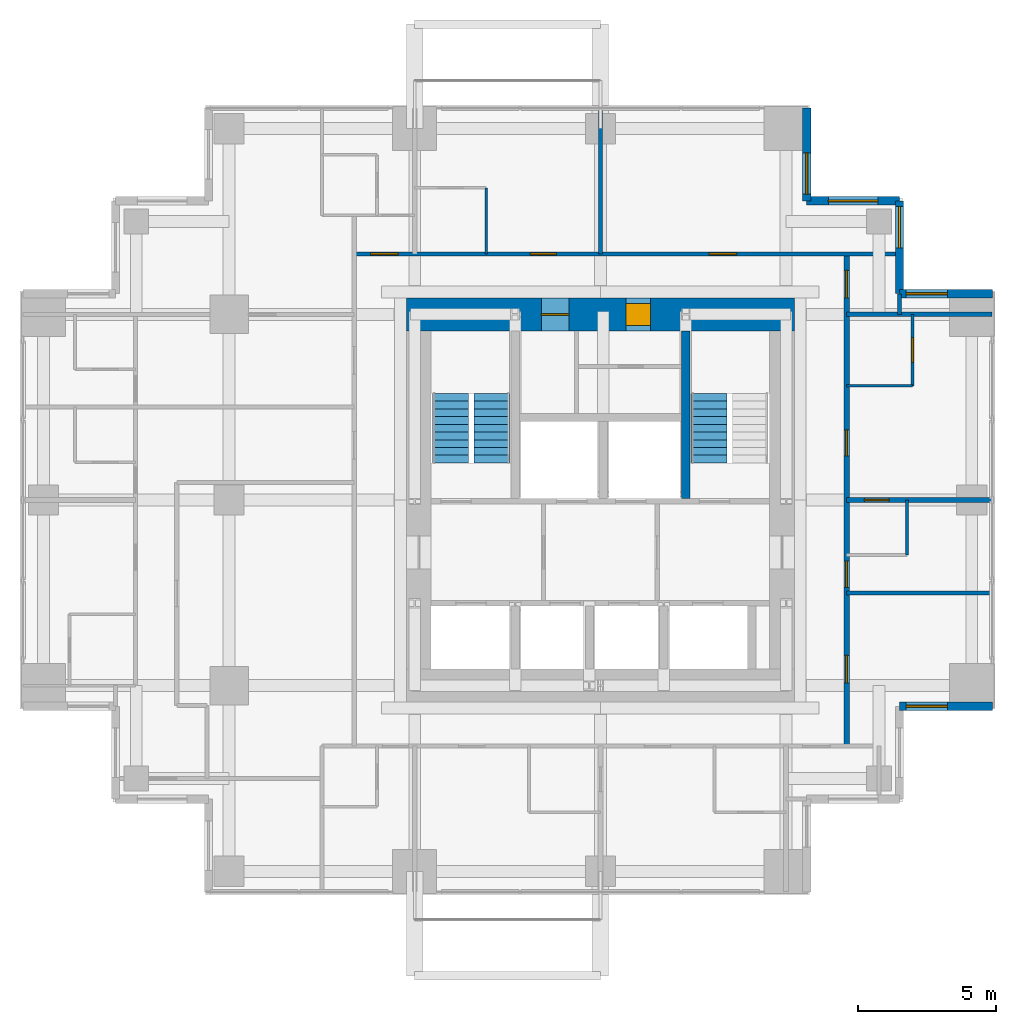
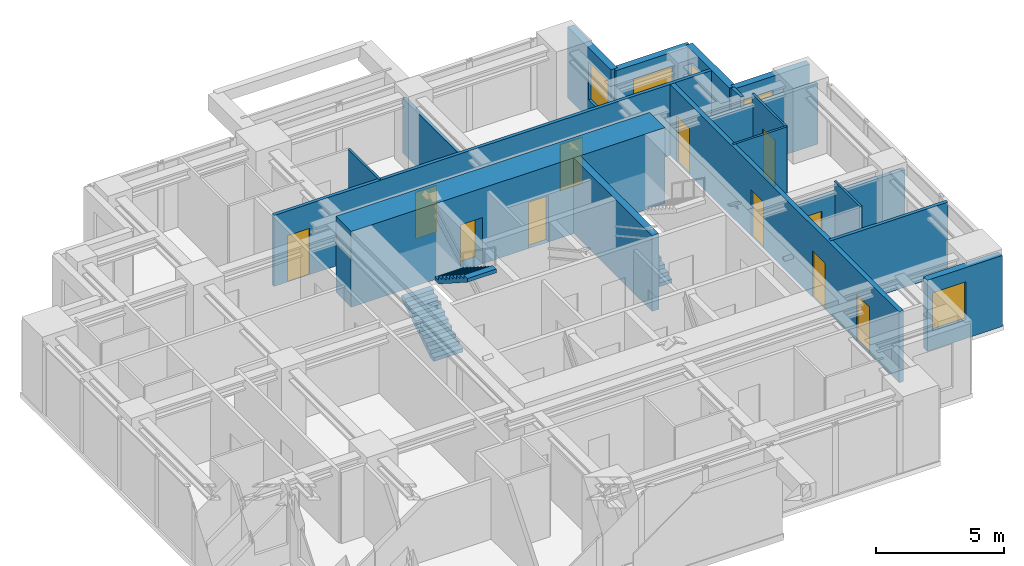
# One storey, part 6 of 8: 18 walls, 11 doors, 5 windows, 3 stair flights, 16 openings, 2 elements without a shape of their own.
"""IFC4 building model written with IfcOpenShell, lengths in metres."""

from ifc_helpers import new_model, si_unit, direction, frame, frame_2d, origin, place, context, subcontext, project, spatial, polyline, rectangle, outline, extrude, material, layer, layer_set, type_object, element, fill, aggregate, save


model = new_model("IFC4")

# Units and contexts
model_context = context("Model", 3, precision=1e-05, world=origin(), true_north=direction((0.0, 1.0)))
body_context = subcontext(model_context, "Body", "Model", "MODEL_VIEW")
ifc_project = project(units=[si_unit("LENGTHUNIT", "METRE"), si_unit("AREAUNIT", "SQUARE_METRE"), si_unit("VOLUMEUNIT", "CUBIC_METRE"), si_unit("PLANEANGLEUNIT", "RADIAN"), si_unit("MASSUNIT", "GRAM", prefix="KILO")], contexts=[model_context])

# Site, building, storey
site_placement = place(None, origin())
site = spatial("IfcSite", under=ifc_project, at=site_placement, CompositionType="ELEMENT")
building_placement = place(site_placement, origin())
building = spatial("IfcBuilding", under=site, at=building_placement, Name="Nyansa Garden Tower", CompositionType="ELEMENT")
storey_placement = place(building_placement, frame((0.0, 0.0, 207.89990234375)))
storey = spatial("IfcBuildingStorey", under=building, at=storey_placement, Name="L56", CompositionType="ELEMENT", Elevation=207.89990234375)

# Wall, opening, door
ifc_material_1 = material(Name="Dense blockwork, plastered both sides, 55 dB", Category="masonry")
ifc_layer_1 = layer(ifc_material_1, 0.175048828125)
ifc_layer_set_1 = layer_set([ifc_layer_1], Name="Acoustic party wall PW175")
wall_type_1 = type_object("IfcWallType", Name="Acoustic party wall PW175", PredefinedType="PARTITIONING", material=ifc_layer_set_1)
wall_1_placement = place(storey_placement, frame((29.199951171875, 20.25, 0.0), z_axis=(0.0, 0.0, 1.0), x_axis=(1.0, 0.0, 0.0)))
wall_1 = element("IfcWall", 1, at=wall_1_placement, inside=storey, type_object=wall_type_1, Name="Party wall", PredefinedType="PARTITIONING", context=body_context, shape_type="SweptSolid", body=[
    extrude(rectangle(XDim=5.283935546875, YDim=0.175048828125, at=frame_2d((2.64208984375, 0.0))), origin(), (0.0, 0.0, 1.0), 2.877197265625),
])
opening_1_placement = place(wall_1_placement, frame((0.64990234375, 0.0, 0.0)))
opening_1 = element("IfcOpeningElement", 2, at=opening_1_placement, cuts=wall_1, Name="Opening D02", PredefinedType="OPENING", context=body_context, shape_type="SweptSolid", body=[
    extrude(rectangle(XDim=0.89990234375, YDim=2.199951171875, at=frame_2d((0.449951171875, 1.10009765625))), frame((0.0, 0.097412109375, 0.0), z_axis=(0.0, -1.0, 0.0), x_axis=(1.0, 0.0, 0.0)), (0.0, 0.0, 1.0), 0.195068359375),
])
ifc_material_2 = material(Name="Timber flush door", Category="wood")
door_type_1 = type_object("IfcDoorType", Name="En-suite door D02 900x2200", OperationType="SINGLE_SWING_RIGHT", PredefinedType="DOOR", material=ifc_material_2)
door_1_placement = place(opening_1_placement, origin())
door_1 = element("IfcDoor", 3, at=door_1_placement, inside=storey, type_object=door_type_1, Name="Door L56-030", OperationType="SINGLE_SWING_RIGHT", OverallHeight=2.199951171875, OverallWidth=0.89990234375, PredefinedType="DOOR", context=body_context, shape_type="SweptSolid", body=[
    extrude(rectangle(XDim=0.89990234375, YDim=2.199951171875, at=frame_2d((0.449951171875, 1.10009765625))), frame((0.0, 0.02490234375, 0.0), z_axis=(0.0, -1.0, 0.0), x_axis=(1.0, 0.0, 0.0)), (0.0, 0.0, 1.0), 0.050048828125),
])
fill(opening_1, door_1)

# Walls
wall_2_placement = place(storey_placement, frame((29.199951171875, 27.0, 0.0), z_axis=(0.0, 0.0, 1.0), x_axis=(1.0, 0.0, 0.0)))
element("IfcWall", 4, at=wall_2_placement, inside=storey, type_object=wall_type_1, Name="Party wall", PredefinedType="PARTITIONING", context=body_context, shape_type="SweptSolid", body=[
    extrude(rectangle(XDim=5.283935546875, YDim=0.175048828125, at=frame_2d((2.64208984375, 0.0))), origin(), (0.0, 0.0, 1.0), 2.877197265625),
])
ifc_material_3 = material(Name="Concrete C70/85", Category="concrete")
ifc_layer_2 = layer(ifc_material_3, 0.300048828125)
ifc_layer_set_2 = layer_set([ifc_layer_2], Name="Core inner wall CI300")
wall_type_2 = type_object("IfcWallType", Name="Core inner wall CI300", PredefinedType="SHEAR", material=ifc_layer_set_2)
wall_3_placement = place(storey_placement, frame((23.35009765625, 20.300048828125, 0.0), z_axis=(0.0, 0.0, 1.0), x_axis=(0.0, 1.0, 0.0)))
element("IfcWall", 5, at=wall_3_placement, inside=storey, type_object=wall_type_2, Name="Core inner wall L56", PredefinedType="SHEAR", context=body_context, shape_type="SweptSolid", body=[
    extrude(rectangle(XDim=6.099853515625, YDim=0.300048828125, at=frame_2d((3.0498046875, 0.0))), origin(), (0.0, 0.0, 1.0), 3.60009765625),
])

# Wall, openings, doors
ifc_material_4 = material(Name="Concrete C80/95", Category="concrete")
ifc_layer_3 = layer(ifc_material_4, 1.199951171875)
ifc_layer_set_3 = layer_set([ifc_layer_3], Name="Core wall CW1200")
wall_type_3 = type_object("IfcWallType", Name="Core wall CW1200", PredefinedType="SHEAR", material=ifc_layer_set_3)
wall_4_placement = place(storey_placement, frame((27.300048828125, 27.0, 0.0), z_axis=(0.0, 0.0, 1.0), x_axis=(-1.0, 0.0, 0.0)))
wall_4 = element("IfcWall", 6, at=wall_4_placement, inside=storey, type_object=wall_type_3, Name="Core wall N L56", PredefinedType="SHEAR", context=body_context, shape_type="SweptSolid", body=[
    extrude(rectangle(XDim=14.10009765625, YDim=1.199951171875, at=frame_2d((7.050048828125, 0.0))), origin(), (0.0, 0.0, 1.0), 3.60009765625),
])
opening_2_placement = place(wall_4_placement, frame((5.22509765625, 0.0, 0.0)))
opening_2 = element("IfcOpeningElement", 7, at=opening_2_placement, cuts=wall_4, Name="Opening D15", PredefinedType="OPENING", context=body_context, shape_type="SweptSolid", body=[
    extrude(rectangle(XDim=0.89990234375, YDim=2.199951171875, at=frame_2d((0.449951171875, 1.10009765625))), frame((0.0, 0.60986328125, 0.0), z_axis=(0.0, -1.0, 0.0), x_axis=(1.0, 0.0, 0.0)), (0.0, 0.0, 1.0), 1.219970703125),
])
opening_3_placement = place(wall_4_placement, frame((8.199951171875, 0.0, 0.0)))
opening_3 = element("IfcOpeningElement", 8, at=opening_3_placement, cuts=wall_4, Name="Opening D07", PredefinedType="OPENING", context=body_context, shape_type="SweptSolid", body=[
    extrude(rectangle(XDim=1.0, YDim=2.199951171875, at=frame_2d((0.5, 1.10009765625))), frame((0.0, 0.60986328125, 0.0), z_axis=(0.0, -1.0, 0.0), x_axis=(1.0, 0.0, 0.0)), (0.0, 0.0, 1.0), 1.219970703125),
])
ifc_material_5 = material(Name="Timber flush door, 60 minute fire resisting, self-closing", Category="wood")
door_type_2 = type_object("IfcDoorType", Name="Core room door D15 900x2200", OperationType="SINGLE_SWING_LEFT", PredefinedType="DOOR", material=ifc_material_5)
door_2_placement = place(opening_2_placement, origin())
door_2 = element("IfcDoor", 9, at=door_2_placement, inside=storey, type_object=door_type_2, Name="Core room door", OperationType="SINGLE_SWING_LEFT", OverallHeight=2.199951171875, OverallWidth=0.89990234375, PredefinedType="DOOR", context=body_context, shape_type="SweptSolid", body=[
    extrude(rectangle(XDim=0.89990234375, YDim=2.199951171875, at=frame_2d((0.449951171875, 1.10009765625))), frame((0.0, 0.39990234375, 0.0), z_axis=(0.0, -1.0, 0.0), x_axis=(1.0, 0.0, 0.0)), (0.0, 0.0, 1.0), 0.800048828125),
])
fill(opening_2, door_2)
ifc_material_6 = material(Name="Steel door, 120 minute fire resisting", Category="steel")
door_type_3 = type_object("IfcDoorType", Name="Riser door D07 1000x2200", OperationType="SINGLE_SWING_LEFT", PredefinedType="DOOR", material=ifc_material_6)
door_3_placement = place(opening_3_placement, origin())
door_3 = element("IfcDoor", 10, at=door_3_placement, inside=storey, type_object=door_type_3, Name="Riser and refuse room door", OperationType="SINGLE_SWING_LEFT", OverallHeight=2.199951171875, OverallWidth=1.0, PredefinedType="DOOR", context=body_context, shape_type="SweptSolid", body=[
    extrude(rectangle(XDim=1.0, YDim=2.199951171875, at=frame_2d((0.5, 1.10009765625))), frame((0.0, 0.02490234375, 0.0), z_axis=(0.0, -1.0, 0.0), x_axis=(1.0, 0.0, 0.0)), (0.0, 0.0, 1.0), 0.050048828125),
])
fill(opening_3, door_3)

ifc_material_7 = material(Name="Concrete blockwork, plastered, 60 minute fire resisting", Category="masonry")
ifc_layer_4 = layer(ifc_material_7, 0.199951171875)
ifc_layer_set_4 = layer_set([ifc_layer_4], Name="Corridor wall FW200")
wall_type_4 = type_object("IfcWallType", Name="Corridor wall FW200", PredefinedType="PARTITIONING", material=ifc_layer_set_4)
wall_5_placement = place(storey_placement, frame((29.199951171875, 11.300048828125, 0.0), z_axis=(0.0, 0.0, 1.0), x_axis=(0.0, 1.0, 0.0)))
wall_5 = element("IfcWall", 11, at=wall_5_placement, inside=storey, type_object=wall_type_4, Name="Corridor wall", PredefinedType="PARTITIONING", context=body_context, shape_type="SweptSolid", body=[
    extrude(rectangle(XDim=17.89990234375, YDim=0.199951171875, at=frame_2d((8.949951171875, 0.0))), origin(), (0.0, 0.0, 1.0), 3.375),
])
opening_4_placement = place(wall_5_placement, frame((2.300048828125, 0.0, 0.0)))
opening_4 = element("IfcOpeningElement", 12, at=opening_4_placement, cuts=wall_5, Name="Opening D03", PredefinedType="OPENING", context=body_context, shape_type="SweptSolid", body=[
    extrude(rectangle(XDim=1.0, YDim=2.199951171875, at=frame_2d((0.5, 1.10009765625))), frame((0.0, 0.10986328125, 0.0), z_axis=(0.0, -1.0, 0.0), x_axis=(1.0, 0.0, 0.0)), (0.0, 0.0, 1.0), 0.219970703125),
])
opening_5_placement = place(wall_5_placement, frame((10.550048828125, 0.0, 0.0)))
opening_5 = element("IfcOpeningElement", 13, at=opening_5_placement, cuts=wall_5, Name="Opening D14", PredefinedType="OPENING", context=body_context, shape_type="SweptSolid", body=[
    extrude(rectangle(XDim=0.949951171875, YDim=2.199951171875, at=frame_2d((0.47509765625, 1.10009765625))), frame((0.0, 0.10986328125, 0.0), z_axis=(0.0, -1.0, 0.0), x_axis=(1.0, 0.0, 0.0)), (0.0, 0.0, 1.0), 0.219970703125),
])
opening_6_placement = place(wall_5_placement, frame((5.77490234375, 0.0, 0.0)))
opening_6 = element("IfcOpeningElement", 14, at=opening_6_placement, cuts=wall_5, Name="Opening D14", PredefinedType="OPENING", context=body_context, shape_type="SweptSolid", body=[
    extrude(rectangle(XDim=0.949951171875, YDim=2.199951171875, at=frame_2d((0.47509765625, 1.10009765625))), frame((0.0, 0.10986328125, 0.0), z_axis=(0.0, -1.0, 0.0), x_axis=(1.0, 0.0, 0.0)), (0.0, 0.0, 1.0), 0.219970703125),
])
opening_7_placement = place(wall_5_placement, frame((16.300048828125, 0.0, 0.0)))
opening_7 = element("IfcOpeningElement", 15, at=opening_7_placement, cuts=wall_5, Name="Opening D03", PredefinedType="OPENING", context=body_context, shape_type="SweptSolid", body=[
    extrude(rectangle(XDim=1.0, YDim=2.199951171875, at=frame_2d((0.5, 1.10009765625))), frame((0.0, 0.10986328125, 0.0), z_axis=(0.0, -1.0, 0.0), x_axis=(1.0, 0.0, 0.0)), (0.0, 0.0, 1.0), 0.219970703125),
])
ifc_material_8 = material(Name="Timber flush door, 60 minute fire resisting", Category="wood")
door_type_4 = type_object("IfcDoorType", Name="Cluster entrance door D03 1000x2200", OperationType="SINGLE_SWING_LEFT", PredefinedType="DOOR", material=ifc_material_8)
door_4_placement = place(opening_4_placement, origin())
door_4 = element("IfcDoor", 16, at=door_4_placement, inside=storey, type_object=door_type_4, Name="Door L56-026", OperationType="SINGLE_SWING_LEFT", OverallHeight=2.199951171875, OverallWidth=1.0, PredefinedType="DOOR", context=body_context, shape_type="SweptSolid", body=[
    extrude(rectangle(XDim=1.0, YDim=2.199951171875, at=frame_2d((0.5, 1.10009765625))), frame((0.0, 0.02490234375, 0.0), z_axis=(0.0, -1.0, 0.0), x_axis=(1.0, 0.0, 0.0)), (0.0, 0.0, 1.0), 0.050048828125),
])
fill(opening_4, door_4)
door_5_placement = place(opening_7_placement, origin())
door_5 = element("IfcDoor", 17, at=door_5_placement, inside=storey, type_object=door_type_4, Name="Door L56-031", OperationType="SINGLE_SWING_LEFT", OverallHeight=2.199951171875, OverallWidth=1.0, PredefinedType="DOOR", context=body_context, shape_type="SweptSolid", body=[
    extrude(rectangle(XDim=1.0, YDim=2.199951171875, at=frame_2d((0.5, 1.10009765625))), frame((0.0, 0.02490234375, 0.0), z_axis=(0.0, -1.0, 0.0), x_axis=(1.0, 0.0, 0.0)), (0.0, 0.0, 1.0), 0.050048828125),
])
fill(opening_7, door_5)
ifc_material_9 = material(Name="Timber flush door, 60 minute fire resisting, self-closing", Category="wood")
door_type_5 = type_object("IfcDoorType", Name="Studio entrance door D14 950x2200", OperationType="SINGLE_SWING_LEFT", PredefinedType="DOOR", material=ifc_material_9)
door_6_placement = place(opening_5_placement, origin())
door_6 = element("IfcDoor", 18, at=door_6_placement, inside=storey, type_object=door_type_5, Name="Door L56-027", OperationType="SINGLE_SWING_LEFT", OverallHeight=2.199951171875, OverallWidth=0.949951171875, PredefinedType="DOOR", context=body_context, shape_type="SweptSolid", body=[
    extrude(rectangle(XDim=0.949951171875, YDim=2.199951171875, at=frame_2d((0.47509765625, 1.10009765625))), frame((0.0, 0.02490234375, 0.0), z_axis=(0.0, -1.0, 0.0), x_axis=(1.0, 0.0, 0.0)), (0.0, 0.0, 1.0), 0.050048828125),
])
fill(opening_5, door_6)
door_7_placement = place(opening_6_placement, origin())
door_7 = element("IfcDoor", 19, at=door_7_placement, inside=storey, type_object=door_type_5, Name="Door L56-029", OperationType="SINGLE_SWING_LEFT", OverallHeight=2.199951171875, OverallWidth=0.949951171875, PredefinedType="DOOR", context=body_context, shape_type="SweptSolid", body=[
    extrude(rectangle(XDim=0.949951171875, YDim=2.199951171875, at=frame_2d((0.47509765625, 1.10009765625))), frame((0.0, 0.02490234375, 0.0), z_axis=(0.0, -1.0, 0.0), x_axis=(1.0, 0.0, 0.0)), (0.0, 0.0, 1.0), 0.050048828125),
])
fill(opening_6, door_7)

ifc_material_10 = material(Name="Blockwork, plastered both sides", Category="masonry")
ifc_layer_5 = layer(ifc_material_10, 0.14990234375)
ifc_layer_set_5 = layer_set([ifc_layer_5], Name="Partition PW150")
wall_type_5 = type_object("IfcWallType", Name="Partition PW150", PredefinedType="PARTITIONING", material=ifc_layer_set_5)
wall_6_placement = place(storey_placement, frame((11.300048828125, 29.199951171875, 0.0), z_axis=(0.0, 0.0, 1.0), x_axis=(1.0, 0.0, 0.0)))
wall_6 = element("IfcWall", 20, at=wall_6_placement, inside=storey, type_object=wall_type_5, Name="Partition", PredefinedType="PARTITIONING", context=body_context, shape_type="SweptSolid", body=[
    extrude(rectangle(XDim=19.808837890625, YDim=0.14990234375, at=frame_2d((9.904296875, 0.0))), origin(), (0.0, 0.0, 1.0), 3.375),
])
opening_8_placement = place(wall_6_placement, frame((12.89990234375, 0.0, 0.0)))
opening_8 = element("IfcOpeningElement", 21, at=opening_8_placement, cuts=wall_6, Name="Opening D03", PredefinedType="OPENING", context=body_context, shape_type="SweptSolid", body=[
    extrude(rectangle(XDim=1.0, YDim=2.199951171875, at=frame_2d((0.5, 1.10009765625))), frame((0.0, 0.0849609375, 0.0), z_axis=(0.0, -1.0, 0.0), x_axis=(1.0, 0.0, 0.0)), (0.0, 0.0, 1.0), 0.169921875),
])
opening_9_placement = place(wall_6_placement, frame((6.39990234375, 0.0, 0.0)))
opening_9 = element("IfcOpeningElement", 22, at=opening_9_placement, cuts=wall_6, Name="Opening D14", PredefinedType="OPENING", context=body_context, shape_type="SweptSolid", body=[
    extrude(rectangle(XDim=0.949951171875, YDim=2.199951171875, at=frame_2d((0.47509765625, 1.10009765625))), frame((0.0, 0.0849609375, 0.0), z_axis=(0.0, -1.0, 0.0), x_axis=(1.0, 0.0, 0.0)), (0.0, 0.0, 1.0), 0.169921875),
])
opening_10_placement = place(wall_6_placement, frame((0.60009765625, 0.0, 0.0)))
opening_10 = element("IfcOpeningElement", 23, at=opening_10_placement, cuts=wall_6, Name="Opening D03", PredefinedType="OPENING", context=body_context, shape_type="SweptSolid", body=[
    extrude(rectangle(XDim=1.0, YDim=2.199951171875, at=frame_2d((0.5, 1.10009765625))), frame((0.0, 0.0849609375, 0.0), z_axis=(0.0, -1.0, 0.0), x_axis=(1.0, 0.0, 0.0)), (0.0, 0.0, 1.0), 0.169921875),
])
door_8_placement = place(opening_8_placement, origin())
door_8 = element("IfcDoor", 24, at=door_8_placement, inside=storey, type_object=door_type_4, Name="Door L56-032", OperationType="SINGLE_SWING_LEFT", OverallHeight=2.199951171875, OverallWidth=1.0, PredefinedType="DOOR", context=body_context, shape_type="SweptSolid", body=[
    extrude(rectangle(XDim=1.0, YDim=2.199951171875, at=frame_2d((0.5, 1.10009765625))), frame((0.0, 0.02490234375, 0.0), z_axis=(0.0, -1.0, 0.0), x_axis=(1.0, 0.0, 0.0)), (0.0, 0.0, 1.0), 0.050048828125),
])
fill(opening_8, door_8)
door_9_placement = place(opening_10_placement, origin())
door_9 = element("IfcDoor", 25, at=door_9_placement, inside=storey, type_object=door_type_4, Name="Door L56-037", OperationType="SINGLE_SWING_LEFT", OverallHeight=2.199951171875, OverallWidth=1.0, PredefinedType="DOOR", context=body_context, shape_type="SweptSolid", body=[
    extrude(rectangle(XDim=1.0, YDim=2.199951171875, at=frame_2d((0.5, 1.10009765625))), frame((0.0, 0.02490234375, 0.0), z_axis=(0.0, -1.0, 0.0), x_axis=(1.0, 0.0, 0.0)), (0.0, 0.0, 1.0), 0.050048828125),
])
fill(opening_10, door_9)
door_10_placement = place(opening_9_placement, origin())
door_10 = element("IfcDoor", 26, at=door_10_placement, inside=storey, type_object=door_type_5, Name="Door L56-033", OperationType="SINGLE_SWING_LEFT", OverallHeight=2.199951171875, OverallWidth=0.949951171875, PredefinedType="DOOR", context=body_context, shape_type="SweptSolid", body=[
    extrude(rectangle(XDim=0.949951171875, YDim=2.199951171875, at=frame_2d((0.47509765625, 1.10009765625))), frame((0.0, 0.02490234375, 0.0), z_axis=(0.0, -1.0, 0.0), x_axis=(1.0, 0.0, 0.0)), (0.0, 0.0, 1.0), 0.050048828125),
])
fill(opening_9, door_10)

# Walls
wall_7_placement = place(storey_placement, frame((20.25, 29.199951171875, 0.0), z_axis=(0.0, 0.0, 1.0), x_axis=(0.0, 1.0, 0.0)))
element("IfcWall", 27, at=wall_7_placement, inside=storey, type_object=wall_type_5, Name="Partition", PredefinedType="PARTITIONING", context=body_context, shape_type="SweptSolid", body=[
    extrude(rectangle(XDim=5.283935546875, YDim=0.14990234375, at=frame_2d((2.64208984375, 0.0))), origin(), (0.0, 0.0, 1.0), 2.610107421875),
])
wall_8_placement = place(storey_placement, frame((29.199951171875, 16.875, 0.0), z_axis=(0.0, 0.0, 1.0), x_axis=(1.0, 0.0, 0.0)))
element("IfcWall", 28, at=wall_8_placement, inside=storey, type_object=wall_type_5, Name="Partition", PredefinedType="PARTITIONING", context=body_context, shape_type="SweptSolid", body=[
    extrude(rectangle(XDim=5.283935546875, YDim=0.14990234375, at=frame_2d((2.64208984375, 0.0))), origin(), (0.0, 0.0, 1.0), 3.375),
])
wall_9_placement = place(storey_placement, frame((31.125, 27.0, 0.0), z_axis=(0.0, 0.0, 1.0), x_axis=(0.0, 1.0, 0.0)))
element("IfcWall", 29, at=wall_9_placement, inside=storey, type_object=wall_type_5, Name="Partition", PredefinedType="PARTITIONING", context=body_context, shape_type="SweptSolid", body=[
    extrude(rectangle(XDim=0.73388671875, YDim=0.14990234375, at=frame_2d((0.366943359375, 0.0))), origin(), (0.0, 0.0, 1.0), 3.375),
])

# Wall, opening, window
ifc_material_11 = material(Name="Turquoise glazed tile on concrete blockwork", Category="masonry")
ifc_layer_6 = layer(ifc_material_11, 0.300048828125)
ifc_layer_set_6 = layer_set([ifc_layer_6], Name="Tiled corner wall TW300")
wall_type_6 = type_object("IfcWallType", Name="Tiled corner wall TW300", PredefinedType="SOLIDWALL", material=ifc_layer_set_6)
wall_10_placement = place(storey_placement, frame((34.5, 27.75, 0.0), z_axis=(0.0, 0.0, 1.0), x_axis=(-1.0, 0.0, 0.0)))
wall_10 = element("IfcWall", 30, at=wall_10_placement, inside=storey, type_object=wall_type_6, Name="Tiled corner wall L56", PredefinedType="SOLIDWALL", context=body_context, shape_type="SweptSolid", body=[
    extrude(rectangle(XDim=3.375, YDim=0.300048828125, at=frame_2d((1.6875, 0.0))), origin(), (0.0, 0.0, 1.0), 3.375),
])
opening_11_placement = place(wall_10_placement, frame((1.632568359375, 0.0, 0.89990234375)))
opening_11 = element("IfcOpeningElement", 31, at=opening_11_placement, cuts=wall_10, Name="Opening W1", PredefinedType="OPENING", context=body_context, shape_type="SweptSolid", body=[
    extrude(rectangle(XDim=1.5, YDim=1.800048828125, at=frame_2d((0.75, 0.89990234375))), frame((0.0, 0.159912109375, 0.0), z_axis=(0.0, -1.0, 0.0), x_axis=(1.0, 0.0, 0.0)), (0.0, 0.0, 1.0), 0.320068359375),
])
ifc_material_12 = material(Name="Black aluminium frame, dark tinted double glazing", Category="aluminium")
window_type_1 = type_object("IfcWindowType", Name="Window W1 1500x1800", PartitioningType="SINGLE_PANEL", PredefinedType="WINDOW", material=ifc_material_12)
window_1_placement = place(opening_11_placement, origin())
window_1 = element("IfcWindow", 32, at=window_1_placement, inside=storey, type_object=window_type_1, Name="Corner window L56", OverallHeight=1.800048828125, OverallWidth=1.5, PartitioningType="SINGLE_PANEL", PredefinedType="WINDOW", context=body_context, shape_type="SweptSolid", body=[
    extrude(rectangle(XDim=1.5, YDim=1.800048828125, at=frame_2d((0.75, 0.89990234375))), frame((0.0, 0.030029296875, 0.0), z_axis=(0.0, -1.0, 0.0), x_axis=(1.0, 0.0, 0.0)), (0.0, 0.0, 1.0), 0.06005859375),
])
fill(opening_11, window_1)

wall_11_placement = place(storey_placement, frame((31.125, 27.75, 0.0), z_axis=(0.0, 0.0, 1.0), x_axis=(0.0, 1.0, 0.0)))
wall_11 = element("IfcWall", 33, at=wall_11_placement, inside=storey, type_object=wall_type_6, Name="Tiled corner wall L56", PredefinedType="SOLIDWALL", context=body_context, shape_type="SweptSolid", body=[
    extrude(rectangle(XDim=3.375, YDim=0.300048828125, at=frame_2d((1.6875, 0.0))), origin(), (0.0, 0.0, 1.0), 3.375),
])
opening_12_placement = place(wall_11_placement, frame((1.66259765625, 0.0, 0.89990234375)))
opening_12 = element("IfcOpeningElement", 34, at=opening_12_placement, cuts=wall_11, Name="Opening W1", PredefinedType="OPENING", context=body_context, shape_type="SweptSolid", body=[
    extrude(rectangle(XDim=1.5, YDim=1.800048828125, at=frame_2d((0.75, 0.89990234375))), frame((0.0, 0.159912109375, 0.0), z_axis=(0.0, -1.0, 0.0), x_axis=(1.0, 0.0, 0.0)), (0.0, 0.0, 1.0), 0.320068359375),
])
window_2_placement = place(opening_12_placement, origin())
window_2 = element("IfcWindow", 35, at=window_2_placement, inside=storey, type_object=window_type_1, Name="Corner window L56", OverallHeight=1.800048828125, OverallWidth=1.5, PartitioningType="SINGLE_PANEL", PredefinedType="WINDOW", context=body_context, shape_type="SweptSolid", body=[
    extrude(rectangle(XDim=1.5, YDim=1.800048828125, at=frame_2d((0.75, 0.89990234375))), frame((0.0, 0.030029296875, 0.0), z_axis=(0.0, -1.0, 0.0), x_axis=(1.0, 0.0, 0.0)), (0.0, 0.0, 1.0), 0.06005859375),
])
fill(opening_12, window_2)

wall_12_placement = place(storey_placement, frame((31.125, 31.125, 0.0), z_axis=(0.0, 0.0, 1.0), x_axis=(-1.0, 0.0, 0.0)))
wall_12 = element("IfcWall", 36, at=wall_12_placement, inside=storey, type_object=wall_type_6, Name="Tiled corner wall L56", PredefinedType="SOLIDWALL", context=body_context, shape_type="SweptSolid", body=[
    extrude(rectangle(XDim=3.375, YDim=0.300048828125, at=frame_2d((1.6875, 0.0))), origin(), (0.0, 0.0, 1.0), 3.375),
])
opening_13_placement = place(wall_12_placement, frame((0.78759765625, 0.0, 0.60009765625)))
opening_13 = element("IfcOpeningElement", 37, at=opening_13_placement, cuts=wall_12, Name="Opening W2", PredefinedType="OPENING", context=body_context, shape_type="SweptSolid", body=[
    extrude(rectangle(XDim=1.800048828125, YDim=2.10009765625, at=frame_2d((0.89990234375, 1.050048828125))), frame((0.0, 0.159912109375, 0.0), z_axis=(0.0, -1.0, 0.0), x_axis=(1.0, 0.0, 0.0)), (0.0, 0.0, 1.0), 0.320068359375),
])
ifc_material_13 = material(Name="Black aluminium frame, dark tinted double glazing", Category="aluminium")
window_type_2 = type_object("IfcWindowType", Name="Window W2 1800x2100", PartitioningType="SINGLE_PANEL", PredefinedType="WINDOW", material=ifc_material_13)
window_3_placement = place(opening_13_placement, origin())
window_3 = element("IfcWindow", 38, at=window_3_placement, inside=storey, type_object=window_type_2, Name="Corner window L56", OverallHeight=2.10009765625, OverallWidth=1.800048828125, PartitioningType="SINGLE_PANEL", PredefinedType="WINDOW", context=body_context, shape_type="SweptSolid", body=[
    extrude(rectangle(XDim=1.800048828125, YDim=2.10009765625, at=frame_2d((0.89990234375, 1.050048828125))), frame((0.0, 0.030029296875, 0.0), z_axis=(0.0, -1.0, 0.0), x_axis=(1.0, 0.0, 0.0)), (0.0, 0.0, 1.0), 0.06005859375),
])
fill(opening_13, window_3)

wall_13_placement = place(storey_placement, frame((27.75, 31.125, 0.0), z_axis=(0.0, 0.0, 1.0), x_axis=(0.0, 1.0, 0.0)))
wall_13 = element("IfcWall", 39, at=wall_13_placement, inside=storey, type_object=wall_type_6, Name="Tiled corner wall L56", PredefinedType="SOLIDWALL", context=body_context, shape_type="SweptSolid", body=[
    extrude(rectangle(XDim=3.375, YDim=0.300048828125, at=frame_2d((1.6875, 0.0))), origin(), (0.0, 0.0, 1.0), 3.375),
])
opening_14_placement = place(wall_13_placement, frame((0.242431640625, 0.0, 0.89990234375)))
opening_14 = element("IfcOpeningElement", 40, at=opening_14_placement, cuts=wall_13, Name="Opening W1", PredefinedType="OPENING", context=body_context, shape_type="SweptSolid", body=[
    extrude(rectangle(XDim=1.5, YDim=1.800048828125, at=frame_2d((0.75, 0.89990234375))), frame((0.0, 0.159912109375, 0.0), z_axis=(0.0, -1.0, 0.0), x_axis=(1.0, 0.0, 0.0)), (0.0, 0.0, 1.0), 0.320068359375),
])
window_4_placement = place(opening_14_placement, origin())
window_4 = element("IfcWindow", 41, at=window_4_placement, inside=storey, type_object=window_type_1, Name="Corner window L56", OverallHeight=1.800048828125, OverallWidth=1.5, PartitioningType="SINGLE_PANEL", PredefinedType="WINDOW", context=body_context, shape_type="SweptSolid", body=[
    extrude(rectangle(XDim=1.5, YDim=1.800048828125, at=frame_2d((0.75, 0.89990234375))), frame((0.0, 0.030029296875, 0.0), z_axis=(0.0, -1.0, 0.0), x_axis=(1.0, 0.0, 0.0)), (0.0, 0.0, 1.0), 0.06005859375),
])
fill(opening_14, window_4)

wall_14_placement = place(storey_placement, frame((31.125, 12.75, 0.0), z_axis=(0.0, 0.0, 1.0), x_axis=(1.0, 0.0, 0.0)))
wall_14 = element("IfcWall", 42, at=wall_14_placement, inside=storey, type_object=wall_type_6, Name="Tiled corner wall L56", PredefinedType="SOLIDWALL", context=body_context, shape_type="SweptSolid", body=[
    extrude(rectangle(XDim=3.375, YDim=0.300048828125, at=frame_2d((1.6875, 0.0))), origin(), (0.0, 0.0, 1.0), 3.375),
])
opening_15_placement = place(wall_14_placement, frame((0.242431640625, 0.0, 0.89990234375)))
opening_15 = element("IfcOpeningElement", 43, at=opening_15_placement, cuts=wall_14, Name="Opening W1", PredefinedType="OPENING", context=body_context, shape_type="SweptSolid", body=[
    extrude(rectangle(XDim=1.5, YDim=1.800048828125, at=frame_2d((0.75, 0.89990234375))), frame((0.0, 0.159912109375, 0.0), z_axis=(0.0, -1.0, 0.0), x_axis=(1.0, 0.0, 0.0)), (0.0, 0.0, 1.0), 0.320068359375),
])
window_5_placement = place(opening_15_placement, origin())
window_5 = element("IfcWindow", 44, at=window_5_placement, inside=storey, type_object=window_type_1, Name="Corner window L56", OverallHeight=1.800048828125, OverallWidth=1.5, PartitioningType="SINGLE_PANEL", PredefinedType="WINDOW", context=body_context, shape_type="SweptSolid", body=[
    extrude(rectangle(XDim=1.5, YDim=1.800048828125, at=frame_2d((0.75, 0.89990234375))), frame((0.0, 0.030029296875, 0.0), z_axis=(0.0, -1.0, 0.0), x_axis=(1.0, 0.0, 0.0)), (0.0, 0.0, 1.0), 0.06005859375),
])
fill(opening_15, window_5)

# Walls
ifc_material_14 = material(Name="Moisture resistant board on steel studs, tiled", Category="steel")
ifc_layer_7 = layer(ifc_material_14, 0.10009765625)
ifc_layer_set_7 = layer_set([ifc_layer_7], Name="Wet wall PW100")
wall_type_7 = type_object("IfcWallType", Name="Wet wall PW100", PredefinedType="PARTITIONING", material=ifc_layer_set_7)
for number, where, z_axis, x_axis, name in (
    (45, (16.10009765625, 29.199951171875, 0.0), (0.0, 0.0, 1.0), (0.0, 1.0, 0.0), "Wet wall"),
    (46, (29.199951171875, 24.39990234375, 0.0), (0.0, 0.0, 1.0), (1.0, 0.0, 0.0), "Wet wall"),
):
    element("IfcWall", number, at=place(storey_placement, frame(where, z_axis=z_axis, x_axis=x_axis)), inside=storey, type_object=wall_type_7, Name=name, PredefinedType="PARTITIONING", context=body_context, shape_type="SweptSolid", body=[
        extrude(rectangle(XDim=2.400146484375, YDim=0.10009765625, at=frame_2d((1.2001953125, 0.0))), origin(), (0.0, 0.0, 1.0), 3.375),
    ])
wall_15_placement = place(storey_placement, frame((31.39990234375, 18.25, 0.0), z_axis=(0.0, 0.0, 1.0), x_axis=(0.0, 1.0, 0.0)))
element("IfcWall", 47, at=wall_15_placement, inside=storey, type_object=wall_type_7, Name="Wet wall", PredefinedType="PARTITIONING", context=body_context, shape_type="SweptSolid", body=[
    extrude(rectangle(XDim=2.0, YDim=0.10009765625, at=frame_2d((1.0, 0.0))), origin(), (0.0, 0.0, 1.0), 3.375),
])

# Wall, opening, door
wall_16_placement = place(storey_placement, frame((31.60009765625, 24.39990234375, 0.0), z_axis=(0.0, 0.0, 1.0), x_axis=(0.0, 1.0, 0.0)))
wall_16 = element("IfcWall", 48, at=wall_16_placement, inside=storey, type_object=wall_type_7, Name="Wet wall", PredefinedType="PARTITIONING", context=body_context, shape_type="SweptSolid", body=[
    extrude(rectangle(XDim=2.60009765625, YDim=0.10009765625, at=frame_2d((1.300048828125, 0.0))), origin(), (0.0, 0.0, 1.0), 3.375),
])
opening_16_placement = place(wall_16_placement, frame((0.85009765625, 0.0, 0.0)))
opening_16 = element("IfcOpeningElement", 49, at=opening_16_placement, cuts=wall_16, Name="Opening D02", PredefinedType="OPENING", context=body_context, shape_type="SweptSolid", body=[
    extrude(rectangle(XDim=0.89990234375, YDim=2.199951171875, at=frame_2d((0.449951171875, 1.10009765625))), frame((0.0, 0.06005859375, 0.0), z_axis=(0.0, -1.0, 0.0), x_axis=(1.0, 0.0, 0.0)), (0.0, 0.0, 1.0), 0.1201171875),
])
door_11_placement = place(opening_16_placement, origin())
door_11 = element("IfcDoor", 50, at=door_11_placement, inside=storey, type_object=door_type_1, Name="Door L56-028", OperationType="SINGLE_SWING_RIGHT", OverallHeight=2.199951171875, OverallWidth=0.89990234375, PredefinedType="DOOR", context=body_context, shape_type="SweptSolid", body=[
    extrude(rectangle(XDim=0.89990234375, YDim=2.199951171875, at=frame_2d((0.449951171875, 1.10009765625))), frame((0.0, 0.02490234375, 0.0), z_axis=(0.0, -1.0, 0.0), x_axis=(1.0, 0.0, 0.0)), (0.0, 0.0, 1.0), 0.050048828125),
])
fill(opening_16, door_11)

# Stair, stair flights
ifc_material_15 = material(Name="Precast concrete C40/50", Category="concrete")
stair_type_1 = type_object("IfcStairType", Name="Stair S1 180x280", PredefinedType="HALF_TURN_STAIR", material=ifc_material_15)
stair_1_placement = place(storey_placement, origin())
stair_1 = element("IfcStair", 51, at=stair_1_placement, inside=storey, type_object=stair_type_1, Name="Stair S1 L56", PredefinedType="HALF_TURN_STAIR")
ifc_material_16 = material(Name="Precast concrete C40/50", Category="concrete")
stair_flight_type_1 = type_object("IfcStairFlightType", Name="Stair flight S1 180x280x10", PredefinedType="STRAIGHT", material=ifc_material_16)
stair_flight_1_placement = place(storey_placement, frame((14.800048828125, 21.60009765625, 0.0), z_axis=(0.0, 0.0, 1.0), x_axis=(0.0, 1.0, 0.0)))
stair_flight_1 = element("IfcStairFlight", 52, at=stair_flight_1_placement, type_object=stair_flight_type_1, Name="S1 flight 1", NumberOfRisers=10, NumberOfTreads=9, PredefinedType="STRAIGHT", RiserHeight=0.18, TreadLength=0.28, context=body_context, shape_type="SweptSolid", body=[
    extrude(outline(polyline([(0.0, 0.0), (0.0, 0.179931640625), (0.280029296875, 0.179931640625), (0.280029296875, 0.360107421875), (0.56005859375, 0.360107421875), (0.56005859375, 0.5400390625), (0.840087890625, 0.5400390625), (0.840087890625, 0.719970703125), (1.1201171875, 0.719970703125), (1.1201171875, 0.89990234375), (1.39990234375, 0.89990234375), (1.39990234375, 1.080078125), (1.679931640625, 1.080078125), (1.679931640625, 1.260009765625), (1.9599609375, 1.260009765625), (1.9599609375, 1.43994140625), (2.239990234375, 1.43994140625), (2.239990234375, 1.6201171875), (2.52001953125, 1.6201171875), (2.52001953125, 1.800048828125), (2.52001953125, 1.44189453125), (0.277099609375, 0.0), (0.0, 0.0)])), frame((0.0, 0.64990234375, 0.0), z_axis=(0.0, -1.0, 0.0), x_axis=(1.0, 0.0, 0.0)), (0.0, 0.0, 1.0), 1.300048828125),
])
stair_flight_2_placement = place(storey_placement, frame((16.300048828125, 24.1201171875, 1.800048828125), z_axis=(0.0, 0.0, 1.0), x_axis=(0.0, -1.0, 0.0)))
stair_flight_2 = element("IfcStairFlight", 53, at=stair_flight_2_placement, type_object=stair_flight_type_1, Name="S1 flight 2", NumberOfRisers=10, NumberOfTreads=9, PredefinedType="STRAIGHT", RiserHeight=0.18, TreadLength=0.28, context=body_context, shape_type="SweptSolid", body=[
    extrude(outline(polyline([(0.0, 0.0), (0.0, 0.179931640625), (0.280029296875, 0.179931640625), (0.280029296875, 0.360107421875), (0.56005859375, 0.360107421875), (0.56005859375, 0.5400390625), (0.840087890625, 0.5400390625), (0.840087890625, 0.719970703125), (1.1201171875, 0.719970703125), (1.1201171875, 0.89990234375), (1.39990234375, 0.89990234375), (1.39990234375, 1.080078125), (1.679931640625, 1.080078125), (1.679931640625, 1.260009765625), (1.9599609375, 1.260009765625), (1.9599609375, 1.43994140625), (2.239990234375, 1.43994140625), (2.239990234375, 1.6201171875), (2.52001953125, 1.6201171875), (2.52001953125, 1.800048828125), (2.52001953125, 1.44189453125), (0.277099609375, 0.0), (0.0, 0.0)])), frame((0.0, 0.64990234375, 0.0), z_axis=(0.0, -1.0, 0.0), x_axis=(1.0, 0.0, 0.0)), (0.0, 0.0, 1.0), 1.300048828125),
])
aggregate(stair_1, [stair_flight_1, stair_flight_2])

# Stair, stair flight
ifc_material_17 = material(Name="Precast concrete C40/50", Category="concrete")
stair_type_2 = type_object("IfcStairType", Name="Stair S2 180x280", PredefinedType="HALF_TURN_STAIR", material=ifc_material_17)
stair_2_placement = place(storey_placement, origin())
stair_2 = element("IfcStair", 54, at=stair_2_placement, inside=storey, type_object=stair_type_2, Name="Stair S2 L56", PredefinedType="HALF_TURN_STAIR")
ifc_material_18 = material(Name="Precast concrete C40/50", Category="concrete")
stair_flight_type_2 = type_object("IfcStairFlightType", Name="Stair flight S2 180x280x10", PredefinedType="STRAIGHT", material=ifc_material_18)
stair_flight_3_placement = place(storey_placement, frame((24.199951171875, 21.60009765625, 0.0), z_axis=(0.0, 0.0, 1.0), x_axis=(0.0, 1.0, 0.0)))
stair_flight_3 = element("IfcStairFlight", 55, at=stair_flight_3_placement, type_object=stair_flight_type_2, Name="S2 flight 1", NumberOfRisers=10, NumberOfTreads=9, PredefinedType="STRAIGHT", RiserHeight=0.18, TreadLength=0.28, context=body_context, shape_type="SweptSolid", body=[
    extrude(outline(polyline([(0.0, 0.0), (0.0, 0.179931640625), (0.280029296875, 0.179931640625), (0.280029296875, 0.360107421875), (0.56005859375, 0.360107421875), (0.56005859375, 0.5400390625), (0.840087890625, 0.5400390625), (0.840087890625, 0.719970703125), (1.1201171875, 0.719970703125), (1.1201171875, 0.89990234375), (1.39990234375, 0.89990234375), (1.39990234375, 1.080078125), (1.679931640625, 1.080078125), (1.679931640625, 1.260009765625), (1.9599609375, 1.260009765625), (1.9599609375, 1.43994140625), (2.239990234375, 1.43994140625), (2.239990234375, 1.6201171875), (2.52001953125, 1.6201171875), (2.52001953125, 1.800048828125), (2.52001953125, 1.44189453125), (0.277099609375, 0.0), (0.0, 0.0)])), frame((0.0, 0.64990234375, 0.0), z_axis=(0.0, -1.0, 0.0), x_axis=(1.0, 0.0, 0.0)), (0.0, 0.0, 1.0), 1.300048828125),
])
aggregate(stair_2, [stair_flight_3])

save(model, "model.ifc")
